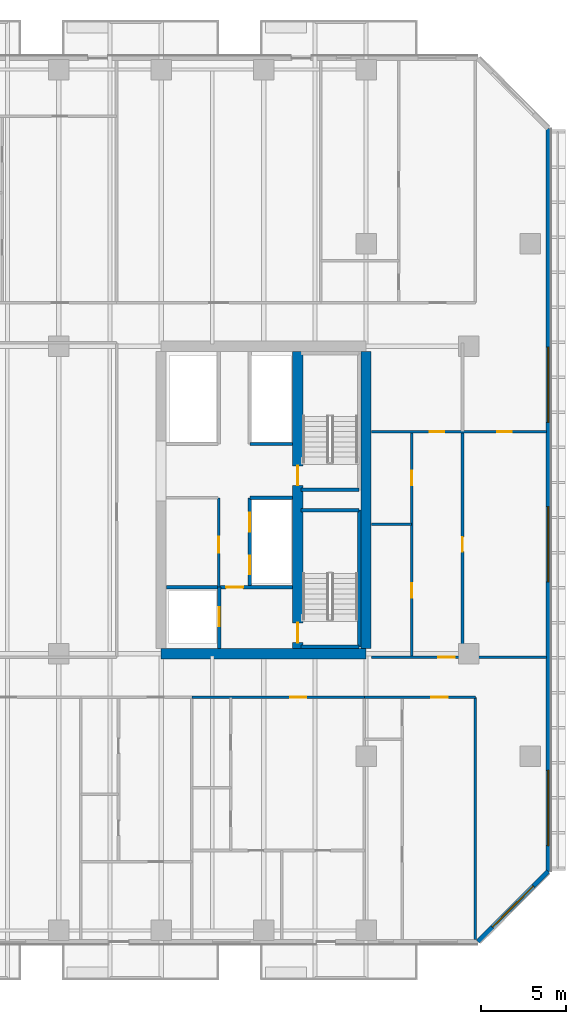
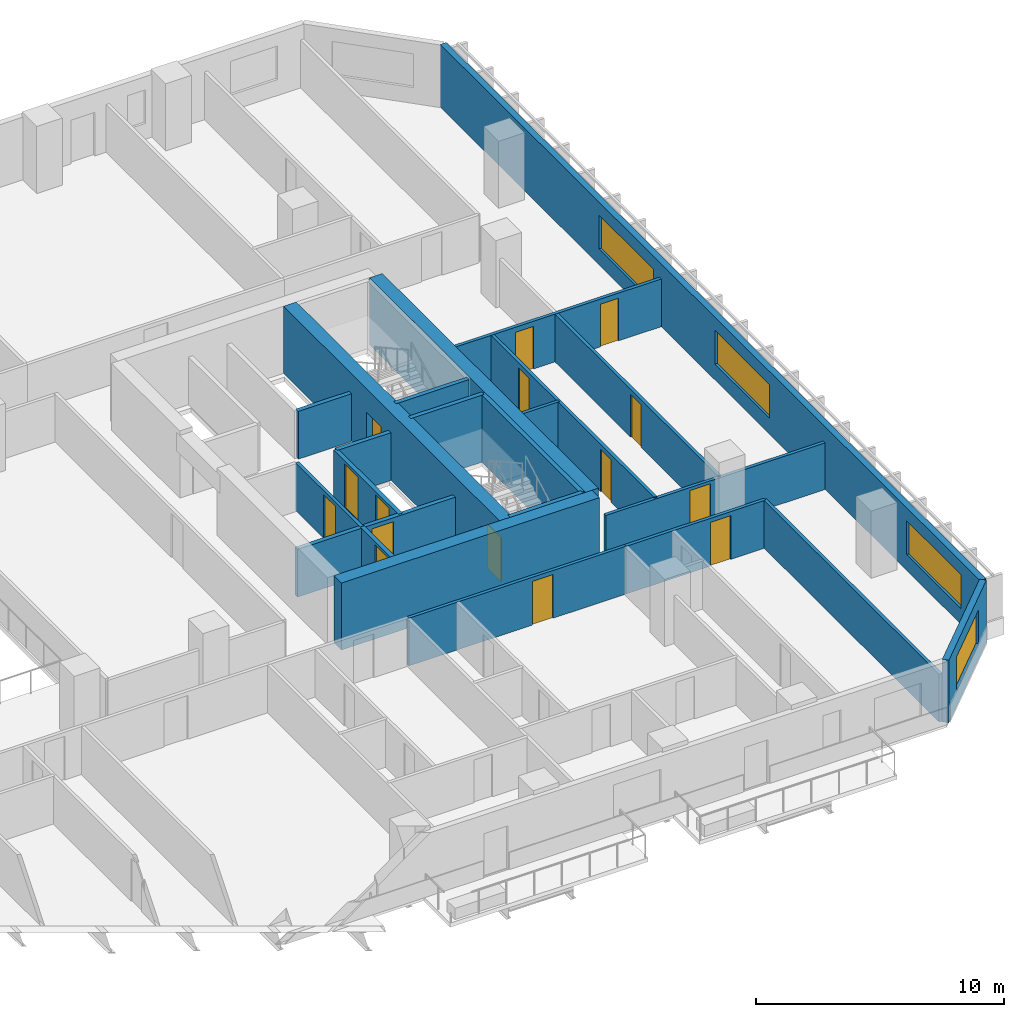
# One storey, part 15 of 26: 23 walls, 15 doors, 4 windows, 19 openings.
"""IFC4 building model written with IfcOpenShell, lengths in metres."""

from ifc_helpers import new_model, si_unit, direction, frame, frame_2d, origin, place, context, subcontext, project, spatial, rectangle, extrude, material, layer, layer_set, type_object, element, fill, save


model = new_model("IFC4")

# Units and contexts
model_context = context("Model", 3, precision=1e-05, world=origin(), true_north=direction((0.0, 1.0)))
body_context = subcontext(model_context, "Body", "Model", "MODEL_VIEW")
ifc_project = project(units=[si_unit("LENGTHUNIT", "METRE"), si_unit("AREAUNIT", "SQUARE_METRE"), si_unit("VOLUMEUNIT", "CUBIC_METRE"), si_unit("PLANEANGLEUNIT", "RADIAN"), si_unit("MASSUNIT", "GRAM", prefix="KILO")], contexts=[model_context])

# Site, building, storey
site_placement = place(None, origin())
site = spatial("IfcSite", under=ifc_project, at=site_placement, CompositionType="ELEMENT")
building_placement = place(site_placement, origin())
building = spatial("IfcBuilding", under=site, at=building_placement, Name="Tanjung Sevakor Pilgrim Tower", CompositionType="ELEMENT")
storey_placement = place(building_placement, frame((0.0, 0.0, 48.840087890625)))
storey = spatial("IfcBuildingStorey", under=building, at=storey_placement, Name="L13", CompositionType="ELEMENT", Elevation=48.840087890625)

# Walls
ifc_material_1 = material(Name="Concrete C60/75", Category="concrete")
ifc_layer_1 = layer(ifc_material_1, 0.60009765625)
ifc_layer_set_1 = layer_set([ifc_layer_1], Name="WALL-CW-600")
wall_type_1 = type_object("IfcWallType", Name="WALL-CW-600", PredefinedType="SHEAR", material=ifc_layer_set_1)
wall_1_placement = place(storey_placement, frame((78.0, 24.60009765625, 0.0), z_axis=(0.0, 0.0, 1.0), x_axis=(1.0, 0.0, 0.0)))
element("IfcWall", 1, at=wall_1_placement, inside=storey, type_object=wall_type_1, Name="L13 E Core South Shear Wall", PredefinedType="SHEAR", context=body_context, shape_type="SweptSolid", body=[
    extrude(rectangle(XDim=12.0, YDim=0.60009765625, at=frame_2d((6.0, 0.0))), origin(), (0.0, 0.0, 1.0), 3.2998046875),
])
wall_2_placement = place(storey_placement, frame((90.0, 24.89990234375, 0.0), z_axis=(0.0, 0.0, 1.0), x_axis=(0.0, 1.0, 0.0)))
element("IfcWall", 2, at=wall_2_placement, inside=storey, type_object=wall_type_1, Name="L13 E Core Outer Shear Wall", PredefinedType="SHEAR", context=body_context, shape_type="SweptSolid", body=[
    extrude(rectangle(XDim=17.400146484375, YDim=0.60009765625, at=frame_2d((8.7001953125, 0.0))), origin(), (0.0, 0.0, 1.0), 3.2998046875),
])

# Wall, openings, doors
wall_3_placement = place(storey_placement, frame((86.0, 24.89990234375, 0.0), z_axis=(0.0, 0.0, 1.0), x_axis=(0.0, 1.0, 0.0)))
wall_3 = element("IfcWall", 3, at=wall_3_placement, inside=storey, type_object=wall_type_1, Name="L13 E Core Stair Spine Wall", PredefinedType="SHEAR", context=body_context, shape_type="SweptSolid", body=[
    extrude(rectangle(XDim=17.400146484375, YDim=0.60009765625, at=frame_2d((8.7001953125, 0.0))), origin(), (0.0, 0.0, 1.0), 3.2998046875),
])
opening_1_placement = place(wall_3_placement, frame((0.35009765625, 0.0, 0.0)))
opening_1 = element("IfcOpeningElement", 4, at=opening_1_placement, cuts=wall_3, Name="Opening ID-ST1", PredefinedType="OPENING", context=body_context, shape_type="SweptSolid", body=[
    extrude(rectangle(XDim=1.14990234375, YDim=2.14990234375, at=frame_2d((0.574951171875, 1.074951171875))), frame((0.0, 0.31005859375, 0.0), z_axis=(0.0, -1.0, 0.0), x_axis=(1.0, 0.0, 0.0)), (0.0, 0.0, 1.0), 0.6201171875),
])
opening_2_placement = place(wall_3_placement, frame((9.550048828125, 0.0, 0.0)))
opening_2 = element("IfcOpeningElement", 5, at=opening_2_placement, cuts=wall_3, Name="Opening ID-ST1", PredefinedType="OPENING", context=body_context, shape_type="SweptSolid", body=[
    extrude(rectangle(XDim=1.14990234375, YDim=2.14990234375, at=frame_2d((0.574951171875, 1.074951171875))), frame((0.0, 0.31005859375, 0.0), z_axis=(0.0, -1.0, 0.0), x_axis=(1.0, 0.0, 0.0)), (0.0, 0.0, 1.0), 0.6201171875),
])
ifc_material_2 = material(Name="Fire-Rated Steel S355J2", Category="steel")
door_type_1 = type_object("IfcDoorType", Name="DT-FIRE-1150", OperationType="NOTDEFINED", PredefinedType="DOOR", material=ifc_material_2)
door_1_placement = place(opening_1_placement, origin())
door_1 = element("IfcDoor", 6, at=door_1_placement, inside=storey, type_object=door_type_1, Name="L13 TS-E1 Stair Fire Door", OperationType="SINGLE_SWING_RIGHT", OverallHeight=2.14990234375, OverallWidth=1.14990234375, PredefinedType="DOOR", context=body_context, shape_type="SweptSolid", body=[
    extrude(rectangle(XDim=1.14990234375, YDim=2.14990234375, at=frame_2d((0.574951171875, 1.074951171875))), frame((0.0, 0.02490234375, 0.0), z_axis=(0.0, -1.0, 0.0), x_axis=(1.0, 0.0, 0.0)), (0.0, 0.0, 1.0), 0.050048828125),
])
fill(opening_1, door_1)
door_2_placement = place(opening_2_placement, origin())
door_2 = element("IfcDoor", 7, at=door_2_placement, inside=storey, type_object=door_type_1, Name="L13 TS-E2 Stair Fire Door", OperationType="SINGLE_SWING_LEFT", OverallHeight=2.14990234375, OverallWidth=1.14990234375, PredefinedType="DOOR", context=body_context, shape_type="SweptSolid", body=[
    extrude(rectangle(XDim=1.14990234375, YDim=2.14990234375, at=frame_2d((0.574951171875, 1.074951171875))), frame((0.0, 0.02490234375, 0.0), z_axis=(0.0, -1.0, 0.0), x_axis=(1.0, 0.0, 0.0)), (0.0, 0.0, 1.0), 0.050048828125),
])
fill(opening_2, door_2)

# Wall, opening, door
ifc_material_3 = material(Name="Concrete C40/50", Category="concrete")
ifc_layer_2 = layer(ifc_material_3, 0.14990234375)
ifc_layer_set_2 = layer_set([ifc_layer_2], Name="WT-COMP-150")
wall_type_2 = type_object("IfcWallType", Name="WT-COMP-150", PredefinedType="SOLIDWALL", material=ifc_layer_set_2)
wall_4_placement = place(storey_placement, frame((81.3798828125, 28.5, 0.0), z_axis=(0.0, 0.0, 1.0), x_axis=(0.0, 1.0, 0.0)))
wall_4 = element("IfcWall", 8, at=wall_4_placement, inside=storey, type_object=wall_type_2, Name="L13 Partition IW-L13-016", PredefinedType="SOLIDWALL", context=body_context, shape_type="SweptSolid", body=[
    extrude(rectangle(XDim=5.219970703125, YDim=0.14990234375, at=frame_2d((2.60986328125, 0.0))), origin(), (0.0, 0.0, 1.0), 2.35009765625),
])
opening_3_placement = place(wall_4_placement, frame((2.0, 0.0, 0.0)))
opening_3 = element("IfcOpeningElement", 9, at=opening_3_placement, cuts=wall_4, Name="Opening ID-FD2", PredefinedType="OPENING", context=body_context, shape_type="SweptSolid", body=[
    extrude(rectangle(XDim=0.949951171875, YDim=2.14990234375, at=frame_2d((0.47509765625, 1.074951171875))), frame((0.0, 0.0849609375, 0.0), z_axis=(0.0, -1.0, 0.0), x_axis=(1.0, 0.0, 0.0)), (0.0, 0.0, 1.0), 0.169921875),
])
ifc_material_4 = material(Name="Fire-Rated Timber", Category="wood")
door_type_2 = type_object("IfcDoorType", Name="DT-FIRE-950", OperationType="NOTDEFINED", PredefinedType="DOOR", material=ifc_material_4)
door_3_placement = place(opening_3_placement, origin())
door_3 = element("IfcDoor", 10, at=door_3_placement, inside=storey, type_object=door_type_2, Name="L13 Accessible WC Door", OperationType="SINGLE_SWING_RIGHT", OverallHeight=2.14990234375, OverallWidth=0.949951171875, PredefinedType="DOOR", context=body_context, shape_type="SweptSolid", body=[
    extrude(rectangle(XDim=0.949951171875, YDim=2.14990234375, at=frame_2d((0.47509765625, 1.074951171875))), frame((0.0, 0.02490234375, 0.0), z_axis=(0.0, -1.0, 0.0), x_axis=(1.0, 0.0, 0.0)), (0.0, 0.0, 1.0), 0.050048828125),
])
fill(opening_3, door_3)

wall_5_placement = place(storey_placement, frame((90.320068359375, 24.39990234375, 0.0), z_axis=(0.0, 0.0, 1.0), x_axis=(1.0, 0.0, 0.0)))
wall_5 = element("IfcWall", 11, at=wall_5_placement, inside=storey, type_object=wall_type_2, Name="L13 Partition IW-L13-035", PredefinedType="SOLIDWALL", context=body_context, shape_type="SweptSolid", body=[
    extrude(rectangle(XDim=10.239990234375, YDim=0.14990234375, at=frame_2d((5.1201171875, 0.0))), origin(), (0.0, 0.0, 1.0), 2.295166015625),
])
opening_4_placement = place(wall_5_placement, frame((3.91259765625, 0.0, 0.0)))
opening_4 = element("IfcOpeningElement", 12, at=opening_4_placement, cuts=wall_5, Name="Opening ID-FD2", PredefinedType="OPENING", context=body_context, shape_type="SweptSolid", body=[
    extrude(rectangle(XDim=0.949951171875, YDim=2.14990234375, at=frame_2d((0.47509765625, 1.074951171875))), frame((0.0, 0.0849609375, 0.0), z_axis=(0.0, -1.0, 0.0), x_axis=(1.0, 0.0, 0.0)), (0.0, 0.0, 1.0), 0.169921875),
])
door_4_placement = place(opening_4_placement, origin())
door_4 = element("IfcDoor", 13, at=door_4_placement, inside=storey, type_object=door_type_2, Name="Suite Entrance", OperationType="SINGLE_SWING_LEFT", OverallHeight=2.14990234375, OverallWidth=0.949951171875, PredefinedType="DOOR", context=body_context, shape_type="SweptSolid", body=[
    extrude(rectangle(XDim=0.949951171875, YDim=2.14990234375, at=frame_2d((0.47509765625, 1.074951171875))), frame((0.0, 0.02490234375, 0.0), z_axis=(0.0, -1.0, 0.0), x_axis=(1.0, 0.0, 0.0)), (0.0, 0.0, 1.0), 0.050048828125),
])
fill(opening_4, door_4)

# Wall
wall_6_placement = place(storey_placement, frame((96.39990234375, 7.8798828125, 0.0), z_axis=(0.0, 0.0, 1.0), x_axis=(0.0, 1.0, 0.0)))
element("IfcWall", 14, at=wall_6_placement, inside=storey, type_object=wall_type_2, Name="L13 Partition IW-L13-054", PredefinedType="SOLIDWALL", context=body_context, shape_type="SweptSolid", body=[
    extrude(rectangle(XDim=14.170166015625, YDim=0.14990234375, at=frame_2d((7.0849609375, 0.0))), origin(), (0.0, 0.0, 1.0), 2.35009765625),
])

# Wall, opening, door
wall_7_placement = place(storey_placement, frame((79.795166015625, 22.050048828125, 0.0), z_axis=(0.0, 0.0, 1.0), x_axis=(1.0, 0.0, 0.0)))
wall_7 = element("IfcWall", 15, at=wall_7_placement, inside=storey, type_object=wall_type_2, Name="L13 Partition IW-L13-073", PredefinedType="SOLIDWALL", context=body_context, shape_type="SweptSolid", body=[
    extrude(rectangle(XDim=10.107421875, YDim=0.14990234375, at=frame_2d((5.0537109375, 0.0))), origin(), (0.0, 0.0, 1.0), 2.35009765625),
])
opening_5_placement = place(wall_7_placement, frame((5.760986328125, 0.0, 0.0)))
opening_5 = element("IfcOpeningElement", 16, at=opening_5_placement, cuts=wall_7, Name="Opening ID-FD2", PredefinedType="OPENING", context=body_context, shape_type="SweptSolid", body=[
    extrude(rectangle(XDim=0.949951171875, YDim=2.14990234375, at=frame_2d((0.47509765625, 1.074951171875))), frame((0.0, 0.0849609375, 0.0), z_axis=(0.0, -1.0, 0.0), x_axis=(1.0, 0.0, 0.0)), (0.0, 0.0, 1.0), 0.169921875),
])
door_5_placement = place(opening_5_placement, origin())
door_5 = element("IfcDoor", 17, at=door_5_placement, inside=storey, type_object=door_type_2, Name="Suite Entrance", OperationType="SINGLE_SWING_RIGHT", OverallHeight=2.14990234375, OverallWidth=0.949951171875, PredefinedType="DOOR", context=body_context, shape_type="SweptSolid", body=[
    extrude(rectangle(XDim=0.949951171875, YDim=2.14990234375, at=frame_2d((0.47509765625, 1.074951171875))), frame((0.0, 0.02490234375, 0.0), z_axis=(0.0, -1.0, 0.0), x_axis=(1.0, 0.0, 0.0)), (0.0, 0.0, 1.0), 0.050048828125),
])
fill(opening_5, door_5)

wall_8_placement = place(storey_placement, frame((89.902587890625, 22.050048828125, 0.0), z_axis=(0.0, 0.0, 1.0), x_axis=(1.0, 0.0, 0.0)))
wall_8 = element("IfcWall", 18, at=wall_8_placement, inside=storey, type_object=wall_type_2, Name="L13 Partition IW-L13-076", PredefinedType="SOLIDWALL", context=body_context, shape_type="SweptSolid", body=[
    extrude(rectangle(XDim=6.497314453125, YDim=0.14990234375, at=frame_2d((3.24853515625, 0.0))), origin(), (0.0, 0.0, 1.0), 2.35009765625),
])
opening_6_placement = place(wall_8_placement, frame((3.918212890625, 0.0, 0.0)))
opening_6 = element("IfcOpeningElement", 19, at=opening_6_placement, cuts=wall_8, Name="Opening ID-FD2", PredefinedType="OPENING", context=body_context, shape_type="SweptSolid", body=[
    extrude(rectangle(XDim=0.949951171875, YDim=2.14990234375, at=frame_2d((0.47509765625, 1.074951171875))), frame((0.0, 0.0849609375, 0.0), z_axis=(0.0, -1.0, 0.0), x_axis=(1.0, 0.0, 0.0)), (0.0, 0.0, 1.0), 0.169921875),
])
door_6_placement = place(opening_6_placement, origin())
door_6 = element("IfcDoor", 20, at=door_6_placement, inside=storey, type_object=door_type_2, Name="Hostel Quad Entrance", OperationType="SINGLE_SWING_LEFT", OverallHeight=2.14990234375, OverallWidth=0.949951171875, PredefinedType="DOOR", context=body_context, shape_type="SweptSolid", body=[
    extrude(rectangle(XDim=0.949951171875, YDim=2.14990234375, at=frame_2d((0.47509765625, 1.074951171875))), frame((0.0, 0.02490234375, 0.0), z_axis=(0.0, -1.0, 0.0), x_axis=(1.0, 0.0, 0.0)), (0.0, 0.0, 1.0), 0.050048828125),
])
fill(opening_6, door_6)

# Wall, opening, window
ifc_material_5 = material(Name="Precast concrete C45/55", Category="concrete")
ifc_layer_3 = layer(ifc_material_5, 0.280029296875)
ifc_layer_set_3 = layer_set([ifc_layer_3], Name="WT-EW-STN2")
wall_type_3 = type_object("IfcWallType", Name="WT-EW-STN2", PredefinedType="SOLIDWALL", material=ifc_layer_set_3)
wall_9_placement = place(storey_placement, frame((96.5419921875, 7.739990234375, 0.0), z_axis=(0.0, 0.0, 1.0), x_axis=(0.707106781187, 0.707106781187, 0.0)))
wall_9 = element("IfcWall", 21, at=wall_9_placement, inside=storey, type_object=wall_type_3, Name="L13 MAIN Sculpted Corner Wall 5", PredefinedType="SOLIDWALL", context=body_context, shape_type="SweptSolid", body=[
    extrude(rectangle(XDim=5.82373046875, YDim=0.280029296875, at=frame_2d((2.911865234375, 0.0))), origin(), (0.0, 0.0, 1.0), 3.080078125),
])
opening_7_placement = place(wall_9_placement, frame((1.2119140625, 0.0, 0.780029296875)))
opening_7 = element("IfcOpeningElement", 22, at=opening_7_placement, cuts=wall_9, Name="Opening WN-CHM-1660", PredefinedType="OPENING", context=body_context, shape_type="SweptSolid", body=[
    extrude(rectangle(XDim=3.39990234375, YDim=1.659912109375, at=frame_2d((1.699951171875, 0.830078125))), frame((0.0, 0.14990234375, 0.0), z_axis=(0.0, -1.0, 0.0), x_axis=(1.0, 0.0, 0.0)), (0.0, 0.0, 1.0), 0.300048828125),
])
ifc_material_6 = material(Name="Thermally Broken Aluminium and Low-E Glass", Category="aluminium")
window_type_1 = type_object("IfcWindowType", Name="WTYP-WN-CHM-1660", PartitioningType="DOUBLE_PANEL_VERTICAL", PredefinedType="WINDOW", material=ifc_material_6)
window_1_placement = place(opening_7_placement, origin())
window_1 = element("IfcWindow", 23, at=window_1_placement, inside=storey, type_object=window_type_1, Name="L13 Facade Window 01", OverallHeight=1.659912109375, OverallWidth=3.39990234375, PartitioningType="SINGLE_PANEL", PredefinedType="WINDOW", context=body_context, shape_type="SweptSolid", body=[
    extrude(rectangle(XDim=3.39990234375, YDim=1.659912109375, at=frame_2d((1.699951171875, 0.830078125))), frame((0.0, 0.030029296875, 0.0), z_axis=(0.0, -1.0, 0.0), x_axis=(1.0, 0.0, 0.0)), (0.0, 0.0, 1.0), 0.06005859375),
])
fill(opening_7, window_1)

# Wall, openings, windows
wall_10_placement = place(storey_placement, frame((100.659912109375, 11.85791015625, 0.0), z_axis=(0.0, 0.0, 1.0), x_axis=(0.0, 1.0, 0.0)))
wall_10 = element("IfcWall", 24, at=wall_10_placement, inside=storey, type_object=wall_type_3, Name="L13 MAIN Exterior Wall 7", PredefinedType="SOLIDWALL", context=body_context, shape_type="SweptSolid", body=[
    extrude(rectangle(XDim=43.484130859375, YDim=0.280029296875, at=frame_2d((21.7421875, 0.0))), origin(), (0.0, 0.0, 1.0), 3.080078125),
])
opening_8_placement = place(wall_10_placement, frame((16.951904296875, 0.0, 0.780029296875)))
opening_8 = element("IfcOpeningElement", 25, at=opening_8_placement, cuts=wall_10, Name="Opening WN-ENDW-1660", PredefinedType="OPENING", context=body_context, shape_type="SweptSolid", body=[
    extrude(rectangle(XDim=4.39990234375, YDim=1.659912109375, at=frame_2d((2.199951171875, 0.830078125))), frame((0.0, 0.14990234375, 0.0), z_axis=(0.0, -1.0, 0.0), x_axis=(1.0, 0.0, 0.0)), (0.0, 0.0, 1.0), 0.300048828125),
])
opening_9_placement = place(wall_10_placement, frame((26.2919921875, 0.0, 0.780029296875)))
opening_9 = element("IfcOpeningElement", 26, at=opening_9_placement, cuts=wall_10, Name="Opening WN-ENDW-1660", PredefinedType="OPENING", context=body_context, shape_type="SweptSolid", body=[
    extrude(rectangle(XDim=4.39990234375, YDim=1.659912109375, at=frame_2d((2.199951171875, 0.830078125))), frame((0.0, 0.14990234375, 0.0), z_axis=(0.0, -1.0, 0.0), x_axis=(1.0, 0.0, 0.0)), (0.0, 0.0, 1.0), 0.300048828125),
])
opening_10_placement = place(wall_10_placement, frame((1.510986328125, 0.0, 0.780029296875)))
opening_10 = element("IfcOpeningElement", 27, at=opening_10_placement, cuts=wall_10, Name="Opening WN-ENDW-1660", PredefinedType="OPENING", context=body_context, shape_type="SweptSolid", body=[
    extrude(rectangle(XDim=4.39990234375, YDim=1.659912109375, at=frame_2d((2.199951171875, 0.830078125))), frame((0.0, 0.14990234375, 0.0), z_axis=(0.0, -1.0, 0.0), x_axis=(1.0, 0.0, 0.0)), (0.0, 0.0, 1.0), 0.300048828125),
])
ifc_material_7 = material(Name="Thermally Broken Aluminium and Low-E Glass", Category="aluminium")
window_type_2 = type_object("IfcWindowType", Name="WTYP-WN-ENDW-1660", PartitioningType="DOUBLE_PANEL_VERTICAL", PredefinedType="WINDOW", material=ifc_material_7)
window_2_placement = place(opening_8_placement, origin())
window_2 = element("IfcWindow", 28, at=window_2_placement, inside=storey, type_object=window_type_2, Name="L13 Facade Window 01", OverallHeight=1.659912109375, OverallWidth=4.39990234375, PartitioningType="SINGLE_PANEL", PredefinedType="WINDOW", context=body_context, shape_type="SweptSolid", body=[
    extrude(rectangle(XDim=4.39990234375, YDim=1.659912109375, at=frame_2d((2.199951171875, 0.830078125))), frame((0.0, 0.030029296875, 0.0), z_axis=(0.0, -1.0, 0.0), x_axis=(1.0, 0.0, 0.0)), (0.0, 0.0, 1.0), 0.06005859375),
])
fill(opening_8, window_2)
window_3_placement = place(opening_9_placement, origin())
window_3 = element("IfcWindow", 29, at=window_3_placement, inside=storey, type_object=window_type_2, Name="L13 Facade Window 02", OverallHeight=1.659912109375, OverallWidth=4.39990234375, PartitioningType="SINGLE_PANEL", PredefinedType="WINDOW", context=body_context, shape_type="SweptSolid", body=[
    extrude(rectangle(XDim=4.39990234375, YDim=1.659912109375, at=frame_2d((2.199951171875, 0.830078125))), frame((0.0, 0.030029296875, 0.0), z_axis=(0.0, -1.0, 0.0), x_axis=(1.0, 0.0, 0.0)), (0.0, 0.0, 1.0), 0.06005859375),
])
fill(opening_9, window_3)
window_4_placement = place(opening_10_placement, origin())
window_4 = element("IfcWindow", 30, at=window_4_placement, inside=storey, type_object=window_type_2, Name="L13 Facade Window 03", OverallHeight=1.659912109375, OverallWidth=4.39990234375, PartitioningType="SINGLE_PANEL", PredefinedType="WINDOW", context=body_context, shape_type="SweptSolid", body=[
    extrude(rectangle(XDim=4.39990234375, YDim=1.659912109375, at=frame_2d((2.199951171875, 0.830078125))), frame((0.0, 0.030029296875, 0.0), z_axis=(0.0, -1.0, 0.0), x_axis=(1.0, 0.0, 0.0)), (0.0, 0.0, 1.0), 0.06005859375),
])
fill(opening_10, window_4)

# Walls
ifc_material_8 = material(Name="Concrete C40/50", Category="concrete")
ifc_layer_4 = layer(ifc_material_8, 0.199951171875)
ifc_layer_set_4 = layer_set([ifc_layer_4], Name="WT-FIRE-200")
wall_type_4 = type_object("IfcWallType", Name="WT-FIRE-200", PredefinedType="SOLIDWALL", material=ifc_layer_set_4)
wall_11_placement = place(storey_placement, frame((86.199951171875, 25.0, 0.0), z_axis=(0.0, 0.0, 1.0), x_axis=(1.0, 0.0, 0.0)))
element("IfcWall", 31, at=wall_11_placement, inside=storey, type_object=wall_type_4, Name="L13 TS-E1 Shaft Wall 1", PredefinedType="SOLIDWALL", context=body_context, shape_type="SweptSolid", body=[
    extrude(rectangle(XDim=3.400146484375, YDim=0.199951171875, at=frame_2d((1.7001953125, 0.0))), origin(), (0.0, 0.0, 1.0), 3.2998046875),
])
wall_12_placement = place(storey_placement, frame((89.60009765625, 25.0, 0.0), z_axis=(0.0, 0.0, 1.0), x_axis=(0.0, 1.0, 0.0)))
element("IfcWall", 32, at=wall_12_placement, inside=storey, type_object=wall_type_4, Name="L13 TS-E1 Shaft Wall 2", PredefinedType="SOLIDWALL", context=body_context, shape_type="SweptSolid", body=[
    extrude(rectangle(XDim=8.0, YDim=0.199951171875, at=frame_2d((4.0, 0.0))), origin(), (0.0, 0.0, 1.0), 3.2998046875),
])
for number, where, z_axis, x_axis, name in (
    (33, (89.60009765625, 33.0, 0.0), (0.0, 0.0, 1.0), (-1.0, 0.0, 0.0), "L13 TS-E1 Shaft Wall 3"),
    (34, (86.199951171875, 34.199951171875, 0.0), (0.0, 0.0, 1.0), (1.0, 0.0, 0.0), "L13 TS-E2 Shaft Wall 1"),
):
    element("IfcWall", number, at=place(storey_placement, frame(where, z_axis=z_axis, x_axis=x_axis)), inside=storey, type_object=wall_type_4, Name=name, PredefinedType="SOLIDWALL", context=body_context, shape_type="SweptSolid", body=[
        extrude(rectangle(XDim=3.400146484375, YDim=0.199951171875, at=frame_2d((1.7001953125, 0.0))), origin(), (0.0, 0.0, 1.0), 3.2998046875),
    ])

# Wall, opening, door
ifc_material_9 = material(Name="Concrete C40/50", Category="concrete")
ifc_layer_5 = layer(ifc_material_9, 0.199951171875)
ifc_layer_set_5 = layer_set([ifc_layer_5], Name="WT-FPRT-200")
wall_type_5 = type_object("IfcWallType", Name="WT-FPRT-200", PredefinedType="SOLIDWALL", material=ifc_layer_set_5)
wall_13_placement = place(storey_placement, frame((81.39990234375, 24.919921875, 0.0), z_axis=(0.0, 0.0, 1.0), x_axis=(0.0, 1.0, 0.0)))
wall_13 = element("IfcWall", 35, at=wall_13_placement, inside=storey, type_object=wall_type_5, Name="L13 Partition IW-L13-011", PredefinedType="SOLIDWALL", context=body_context, shape_type="SweptSolid", body=[
    extrude(rectangle(XDim=3.580078125, YDim=0.199951171875, at=frame_2d((1.7900390625, 0.0))), origin(), (0.0, 0.0, 1.0), 2.35009765625),
])
opening_11_placement = place(wall_13_placement, frame((1.300048828125, 0.0, 0.0)))
opening_11 = element("IfcOpeningElement", 36, at=opening_11_placement, cuts=wall_13, Name="Opening LD-1100", PredefinedType="OPENING", context=body_context, shape_type="SweptSolid", body=[
    extrude(rectangle(XDim=1.10009765625, YDim=2.199951171875, at=frame_2d((0.550048828125, 1.10009765625))), frame((0.0, 0.10986328125, 0.0), z_axis=(0.0, -1.0, 0.0), x_axis=(1.0, 0.0, 0.0)), (0.0, 0.0, 1.0), 0.219970703125),
])
ifc_material_10 = material(Name="Brushed Stainless Steel S355J2", Category="steel")
door_type_3 = type_object("IfcDoorType", Name="DT-LIFT-1100", OperationType="SLIDING_TO_LEFT", PredefinedType="DOOR", material=ifc_material_10)
door_7_placement = place(opening_11_placement, origin())
door_7 = element("IfcDoor", 37, at=door_7_placement, inside=storey, type_object=door_type_3, Name="LD-FL-E", OperationType="SLIDING_TO_LEFT", OverallHeight=2.199951171875, OverallWidth=1.10009765625, PredefinedType="DOOR", context=body_context, shape_type="SweptSolid", body=[
    extrude(rectangle(XDim=1.10009765625, YDim=2.199951171875, at=frame_2d((0.550048828125, 1.10009765625))), frame((0.0, 0.02490234375, 0.0), z_axis=(0.0, -1.0, 0.0), x_axis=(1.0, 0.0, 0.0)), (0.0, 0.0, 1.0), 0.050048828125),
])
fill(opening_11, door_7)

wall_14_placement = place(storey_placement, frame((78.320068359375, 28.5, 0.0), z_axis=(0.0, 0.0, 1.0), x_axis=(1.0, 0.0, 0.0)))
wall_14 = element("IfcWall", 38, at=wall_14_placement, inside=storey, type_object=wall_type_5, Name="L13 Partition IW-L13-012", PredefinedType="SOLIDWALL", context=body_context, shape_type="SweptSolid", body=[
    extrude(rectangle(XDim=7.35986328125, YDim=0.199951171875, at=frame_2d((3.679931640625, 0.0))), origin(), (0.0, 0.0, 1.0), 2.35009765625),
])
opening_12_placement = place(wall_14_placement, frame((3.47998046875, 0.0, 0.0)))
opening_12 = element("IfcOpeningElement", 39, at=opening_12_placement, cuts=wall_14, Name="Opening ID-FD1", PredefinedType="OPENING", context=body_context, shape_type="SweptSolid", body=[
    extrude(rectangle(XDim=1.0, YDim=2.14990234375, at=frame_2d((0.5, 1.074951171875))), frame((0.0, 0.10986328125, 0.0), z_axis=(0.0, -1.0, 0.0), x_axis=(1.0, 0.0, 0.0)), (0.0, 0.0, 1.0), 0.219970703125),
])
ifc_material_11 = material(Name="Fire-Rated Steel S355J2", Category="steel")
door_type_4 = type_object("IfcDoorType", Name="DT-FIRE-1000", OperationType="NOTDEFINED", PredefinedType="DOOR", material=ifc_material_11)
door_8_placement = place(opening_12_placement, origin())
door_8 = element("IfcDoor", 40, at=door_8_placement, inside=storey, type_object=door_type_4, Name="Fire Lobby Door E", OperationType="SINGLE_SWING_LEFT", OverallHeight=2.14990234375, OverallWidth=1.0, PredefinedType="DOOR", context=body_context, shape_type="SweptSolid", body=[
    extrude(rectangle(XDim=1.0, YDim=2.14990234375, at=frame_2d((0.5, 1.074951171875))), frame((0.0, 0.02490234375, 0.0), z_axis=(0.0, -1.0, 0.0), x_axis=(1.0, 0.0, 0.0)), (0.0, 0.0, 1.0), 0.050048828125),
])
fill(opening_12, door_8)

# Wall
wall_15_placement = place(storey_placement, frame((83.199951171875, 33.719970703125, 0.0), z_axis=(0.0, 0.0, 1.0), x_axis=(1.0, 0.0, 0.0)))
element("IfcWall", 41, at=wall_15_placement, inside=storey, type_object=wall_type_5, Name="L13 Partition IW-L13-013", PredefinedType="SOLIDWALL", context=body_context, shape_type="SweptSolid", body=[
    extrude(rectangle(XDim=2.47998046875, YDim=0.199951171875, at=frame_2d((1.239990234375, 0.0))), origin(), (0.0, 0.0, 1.0), 2.35009765625),
])

# Wall, openings, doors
wall_16_placement = place(storey_placement, frame((83.179931640625, 28.5, 0.0), z_axis=(0.0, 0.0, 1.0), x_axis=(0.0, 1.0, 0.0)))
wall_16 = element("IfcWall", 42, at=wall_16_placement, inside=storey, type_object=wall_type_5, Name="L13 Partition IW-L13-014", PredefinedType="SOLIDWALL", context=body_context, shape_type="SweptSolid", body=[
    extrude(rectangle(XDim=5.219970703125, YDim=0.199951171875, at=frame_2d((2.60986328125, 0.0))), origin(), (0.0, 0.0, 1.0), 2.35009765625),
])
opening_13_placement = place(wall_16_placement, frame((0.75, 0.0, 0.0)))
opening_13 = element("IfcOpeningElement", 43, at=opening_13_placement, cuts=wall_16, Name="Opening LD-1100", PredefinedType="OPENING", context=body_context, shape_type="SweptSolid", body=[
    extrude(rectangle(XDim=1.10009765625, YDim=2.199951171875, at=frame_2d((0.550048828125, 1.10009765625))), frame((0.0, 0.10986328125, 0.0), z_axis=(0.0, -1.0, 0.0), x_axis=(1.0, 0.0, 0.0)), (0.0, 0.0, 1.0), 0.219970703125),
])
opening_14_placement = place(wall_16_placement, frame((3.25, 0.0, 0.0)))
opening_14 = element("IfcOpeningElement", 44, at=opening_14_placement, cuts=wall_16, Name="Opening LD-1100", PredefinedType="OPENING", context=body_context, shape_type="SweptSolid", body=[
    extrude(rectangle(XDim=1.10009765625, YDim=2.199951171875, at=frame_2d((0.550048828125, 1.10009765625))), frame((0.0, 0.10986328125, 0.0), z_axis=(0.0, -1.0, 0.0), x_axis=(1.0, 0.0, 0.0)), (0.0, 0.0, 1.0), 0.219970703125),
])
door_9_placement = place(opening_13_placement, origin())
door_9 = element("IfcDoor", 45, at=door_9_placement, inside=storey, type_object=door_type_3, Name="LD-PLL1-E", OperationType="SLIDING_TO_LEFT", OverallHeight=2.199951171875, OverallWidth=1.10009765625, PredefinedType="DOOR", context=body_context, shape_type="SweptSolid", body=[
    extrude(rectangle(XDim=1.10009765625, YDim=2.199951171875, at=frame_2d((0.550048828125, 1.10009765625))), frame((0.0, 0.02490234375, 0.0), z_axis=(0.0, -1.0, 0.0), x_axis=(1.0, 0.0, 0.0)), (0.0, 0.0, 1.0), 0.050048828125),
])
fill(opening_13, door_9)
door_10_placement = place(opening_14_placement, origin())
door_10 = element("IfcDoor", 46, at=door_10_placement, inside=storey, type_object=door_type_3, Name="LD-PLL2-E", OperationType="SLIDING_TO_RIGHT", OverallHeight=2.199951171875, OverallWidth=1.10009765625, PredefinedType="DOOR", context=body_context, shape_type="SweptSolid", body=[
    extrude(rectangle(XDim=1.10009765625, YDim=2.199951171875, at=frame_2d((0.550048828125, 1.10009765625))), frame((0.0, 0.02490234375, 0.0), z_axis=(0.0, -1.0, 0.0), x_axis=(1.0, 0.0, 0.0)), (0.0, 0.0, 1.0), 0.050048828125),
])
fill(opening_14, door_10)

# Wall
wall_17_placement = place(storey_placement, frame((83.199951171875, 36.8798828125, 0.0), z_axis=(0.0, 0.0, 1.0), x_axis=(1.0, 0.0, 0.0)))
element("IfcWall", 47, at=wall_17_placement, inside=storey, type_object=wall_type_5, Name="L13 Partition IW-L13-017", PredefinedType="SOLIDWALL", context=body_context, shape_type="SweptSolid", body=[
    extrude(rectangle(XDim=2.47998046875, YDim=0.199951171875, at=frame_2d((1.239990234375, 0.0))), origin(), (0.0, 0.0, 1.0), 2.35009765625),
])

# Wall, opening, door
ifc_material_12 = material(Name="Gypsum Board Partition", Category="gypsum board")
ifc_layer_6 = layer(ifc_material_12, 0.14990234375)
ifc_layer_set_6 = layer_set([ifc_layer_6], Name="WT-PART-150")
wall_type_6 = type_object("IfcWallType", Name="WT-PART-150", PredefinedType="PARTITIONING", material=ifc_layer_set_6)
wall_18_placement = place(storey_placement, frame((95.644775390625, 24.39990234375, 0.0), z_axis=(0.0, 0.0, 1.0), x_axis=(0.0, 1.0, 0.0)))
wall_18 = element("IfcWall", 48, at=wall_18_placement, inside=storey, type_object=wall_type_6, Name="L13 Partition IW-L13-030", PredefinedType="PARTITIONING", context=body_context, shape_type="SweptSolid", body=[
    extrude(rectangle(XDim=13.2001953125, YDim=0.14990234375, at=frame_2d((6.60009765625, 0.0))), origin(), (0.0, 0.0, 1.0), 2.35009765625),
])
opening_15_placement = place(wall_18_placement, frame((6.175048828125, 0.0, 0.0)))
opening_15 = element("IfcOpeningElement", 49, at=opening_15_placement, cuts=wall_18, Name="Opening ID-WC1", PredefinedType="OPENING", context=body_context, shape_type="SweptSolid", body=[
    extrude(rectangle(XDim=0.85009765625, YDim=2.10009765625, at=frame_2d((0.425048828125, 1.050048828125))), frame((0.0, 0.0849609375, 0.0), z_axis=(0.0, -1.0, 0.0), x_axis=(1.0, 0.0, 0.0)), (0.0, 0.0, 1.0), 0.169921875),
])
ifc_material_13 = material(Name="Moisture-Resistant Timber", Category="wood")
door_type_5 = type_object("IfcDoorType", Name="DT-INT-850", OperationType="NOTDEFINED", PredefinedType="DOOR", material=ifc_material_13)
door_11_placement = place(opening_15_placement, origin())
door_11 = element("IfcDoor", 50, at=door_11_placement, inside=storey, type_object=door_type_5, Name="Suite Study Room Door", OperationType="SINGLE_SWING_RIGHT", OverallHeight=2.10009765625, OverallWidth=0.85009765625, PredefinedType="DOOR", context=body_context, shape_type="SweptSolid", body=[
    extrude(rectangle(XDim=0.85009765625, YDim=2.10009765625, at=frame_2d((0.425048828125, 1.050048828125))), frame((0.0, 0.02490234375, 0.0), z_axis=(0.0, -1.0, 0.0), x_axis=(1.0, 0.0, 0.0)), (0.0, 0.0, 1.0), 0.050048828125),
])
fill(opening_15, door_11)

# Wall
wall_19_placement = place(storey_placement, frame((90.320068359375, 32.18798828125, 0.0), z_axis=(0.0, 0.0, 1.0), x_axis=(1.0, 0.0, 0.0)))
element("IfcWall", 51, at=wall_19_placement, inside=storey, type_object=wall_type_6, Name="L13 Partition IW-L13-031", PredefinedType="PARTITIONING", context=body_context, shape_type="SweptSolid", body=[
    extrude(rectangle(XDim=2.349853515625, YDim=0.14990234375, at=frame_2d((1.1748046875, 0.0))), origin(), (0.0, 0.0, 1.0), 2.35009765625),
])

# Wall, openings, doors
wall_20_placement = place(storey_placement, frame((92.669921875, 24.39990234375, 0.0), z_axis=(0.0, 0.0, 1.0), x_axis=(0.0, 1.0, 0.0)))
wall_20 = element("IfcWall", 52, at=wall_20_placement, inside=storey, type_object=wall_type_6, Name="L13 Partition IW-L13-032", PredefinedType="PARTITIONING", context=body_context, shape_type="SweptSolid", body=[
    extrude(rectangle(XDim=13.2001953125, YDim=0.14990234375, at=frame_2d((6.60009765625, 0.0))), origin(), (0.0, 0.0, 1.0), 2.35009765625),
])
opening_16_placement = place(wall_20_placement, frame((3.468994140625, 0.0, 0.0)))
opening_16 = element("IfcOpeningElement", 53, at=opening_16_placement, cuts=wall_20, Name="Opening ID-WC1", PredefinedType="OPENING", context=body_context, shape_type="SweptSolid", body=[
    extrude(rectangle(XDim=0.85009765625, YDim=2.10009765625, at=frame_2d((0.425048828125, 1.050048828125))), frame((0.0, 0.0849609375, 0.0), z_axis=(0.0, -1.0, 0.0), x_axis=(1.0, 0.0, 0.0)), (0.0, 0.0, 1.0), 0.169921875),
])
opening_17_placement = place(wall_20_placement, frame((10.069091796875, 0.0, 0.0)))
opening_17 = element("IfcOpeningElement", 54, at=opening_17_placement, cuts=wall_20, Name="Opening ID-WC1", PredefinedType="OPENING", context=body_context, shape_type="SweptSolid", body=[
    extrude(rectangle(XDim=0.85009765625, YDim=2.10009765625, at=frame_2d((0.425048828125, 1.050048828125))), frame((0.0, 0.0849609375, 0.0), z_axis=(0.0, -1.0, 0.0), x_axis=(1.0, 0.0, 0.0)), (0.0, 0.0, 1.0), 0.169921875),
])
door_12_placement = place(opening_16_placement, origin())
door_12 = element("IfcDoor", 55, at=door_12_placement, inside=storey, type_object=door_type_5, Name="Suite Kitchenette Door", OperationType="SINGLE_SWING_LEFT", OverallHeight=2.10009765625, OverallWidth=0.85009765625, PredefinedType="DOOR", context=body_context, shape_type="SweptSolid", body=[
    extrude(rectangle(XDim=0.85009765625, YDim=2.10009765625, at=frame_2d((0.425048828125, 1.050048828125))), frame((0.0, 0.02490234375, 0.0), z_axis=(0.0, -1.0, 0.0), x_axis=(1.0, 0.0, 0.0)), (0.0, 0.0, 1.0), 0.050048828125),
])
fill(opening_16, door_12)
door_13_placement = place(opening_17_placement, origin())
door_13 = element("IfcDoor", 56, at=door_13_placement, inside=storey, type_object=door_type_5, Name="Suite Bathroom Door", OperationType="SINGLE_SWING_RIGHT", OverallHeight=2.10009765625, OverallWidth=0.85009765625, PredefinedType="DOOR", context=body_context, shape_type="SweptSolid", body=[
    extrude(rectangle(XDim=0.85009765625, YDim=2.10009765625, at=frame_2d((0.425048828125, 1.050048828125))), frame((0.0, 0.02490234375, 0.0), z_axis=(0.0, -1.0, 0.0), x_axis=(1.0, 0.0, 0.0)), (0.0, 0.0, 1.0), 0.050048828125),
])
fill(opening_17, door_13)

wall_21_placement = place(storey_placement, frame((90.320068359375, 37.60009765625, 0.0), z_axis=(0.0, 0.0, 1.0), x_axis=(1.0, 0.0, 0.0)))
wall_21 = element("IfcWall", 57, at=wall_21_placement, inside=storey, type_object=wall_type_6, Name="L13 Partition IW-L13-034", PredefinedType="PARTITIONING", context=body_context, shape_type="SweptSolid", body=[
    extrude(rectangle(XDim=10.239990234375, YDim=0.14990234375, at=frame_2d((5.1201171875, 0.0))), origin(), (0.0, 0.0, 1.0), 2.35009765625),
])
opening_18_placement = place(wall_21_placement, frame((3.412353515625, 0.0, 0.0)))
opening_18 = element("IfcOpeningElement", 58, at=opening_18_placement, cuts=wall_21, Name="Opening ID-WC1", PredefinedType="OPENING", context=body_context, shape_type="SweptSolid", body=[
    extrude(rectangle(XDim=0.85009765625, YDim=2.10009765625, at=frame_2d((0.425048828125, 1.050048828125))), frame((0.0, 0.0849609375, 0.0), z_axis=(0.0, -1.0, 0.0), x_axis=(1.0, 0.0, 0.0)), (0.0, 0.0, 1.0), 0.169921875),
])
opening_19_placement = place(wall_21_placement, frame((7.357421875, 0.0, 0.0)))
opening_19 = element("IfcOpeningElement", 59, at=opening_19_placement, cuts=wall_21, Name="Opening ID-WC1", PredefinedType="OPENING", context=body_context, shape_type="SweptSolid", body=[
    extrude(rectangle(XDim=0.85009765625, YDim=2.10009765625, at=frame_2d((0.425048828125, 1.050048828125))), frame((0.0, 0.0849609375, 0.0), z_axis=(0.0, -1.0, 0.0), x_axis=(1.0, 0.0, 0.0)), (0.0, 0.0, 1.0), 0.169921875),
])
door_14_placement = place(opening_18_placement, origin())
door_14 = element("IfcDoor", 60, at=door_14_placement, inside=storey, type_object=door_type_5, Name="Suite Bedroom 1 Door", OperationType="SINGLE_SWING_LEFT", OverallHeight=2.10009765625, OverallWidth=0.85009765625, PredefinedType="DOOR", context=body_context, shape_type="SweptSolid", body=[
    extrude(rectangle(XDim=0.85009765625, YDim=2.10009765625, at=frame_2d((0.425048828125, 1.050048828125))), frame((0.0, 0.02490234375, 0.0), z_axis=(0.0, -1.0, 0.0), x_axis=(1.0, 0.0, 0.0)), (0.0, 0.0, 1.0), 0.050048828125),
])
fill(opening_18, door_14)
door_15_placement = place(opening_19_placement, origin())
door_15 = element("IfcDoor", 61, at=door_15_placement, inside=storey, type_object=door_type_5, Name="Suite Bedroom 2 Door", OperationType="SINGLE_SWING_RIGHT", OverallHeight=2.10009765625, OverallWidth=0.85009765625, PredefinedType="DOOR", context=body_context, shape_type="SweptSolid", body=[
    extrude(rectangle(XDim=0.85009765625, YDim=2.10009765625, at=frame_2d((0.425048828125, 1.050048828125))), frame((0.0, 0.02490234375, 0.0), z_axis=(0.0, -1.0, 0.0), x_axis=(1.0, 0.0, 0.0)), (0.0, 0.0, 1.0), 0.050048828125),
])
fill(opening_19, door_15)

save(model, "model.ifc")
